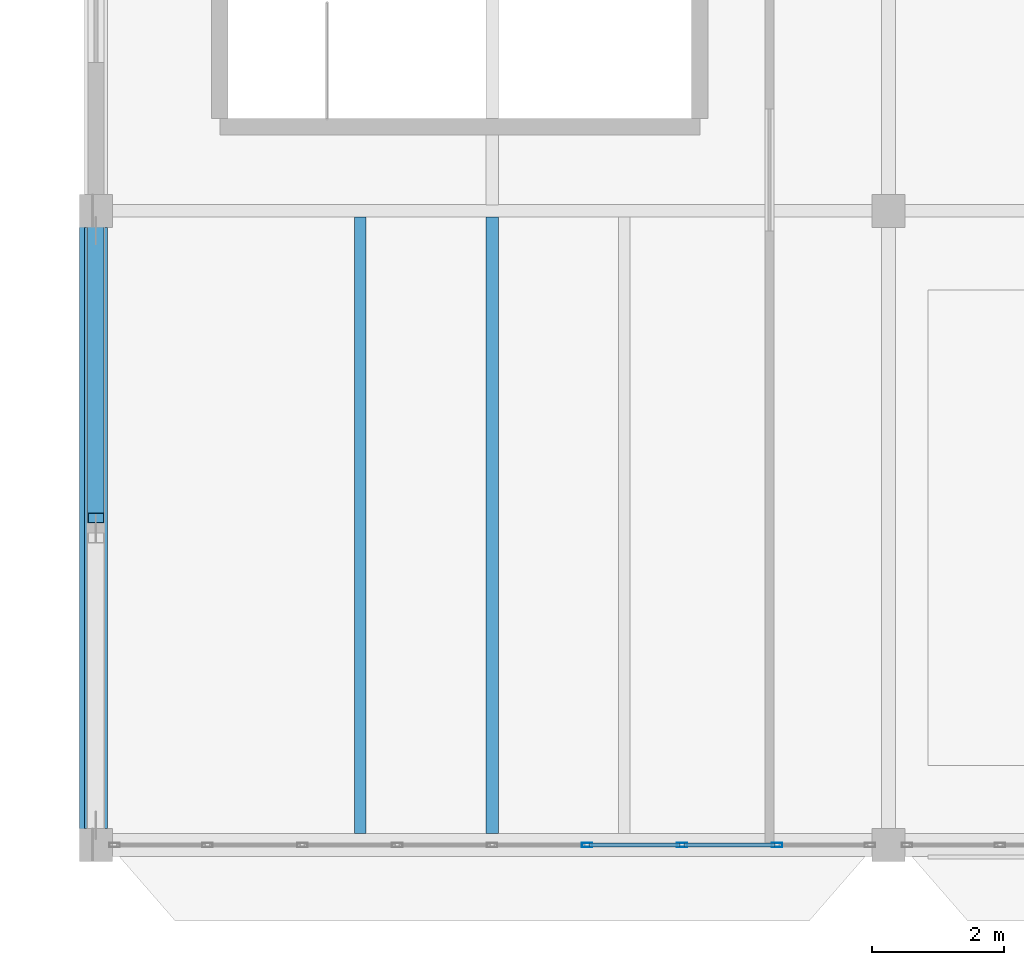
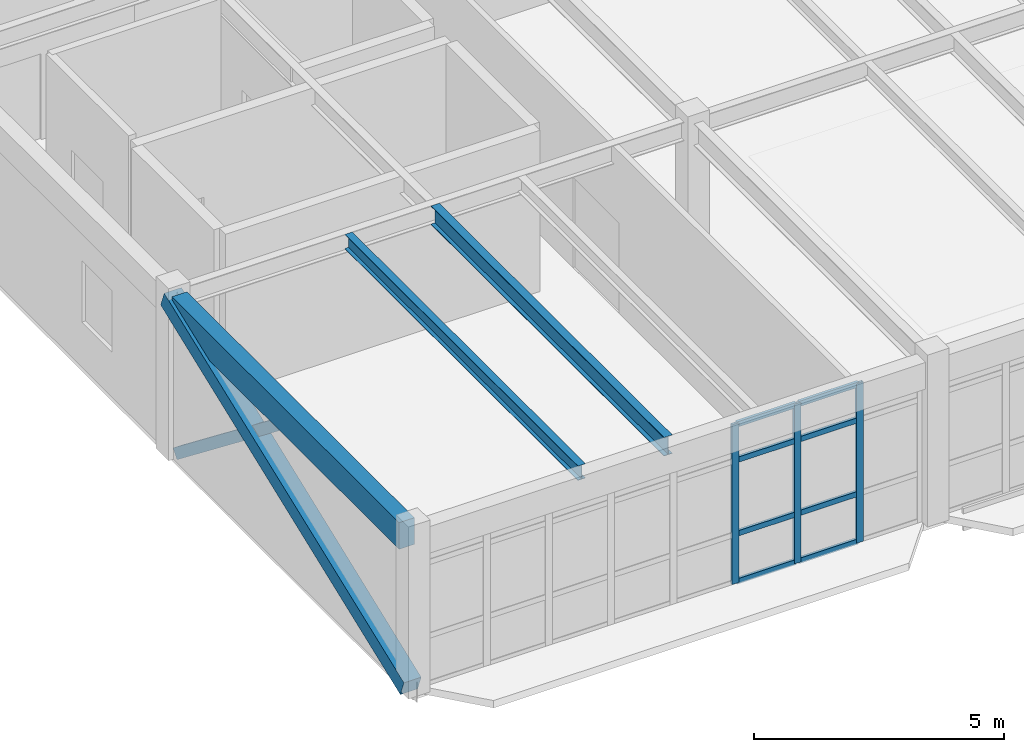
# One storey, part 8 of 83: 13 members, 3 beams, 1 element without a shape of its own.
"""IFC4 building model written with IfcOpenShell, lengths in metres."""

from ifc_helpers import new_model, si_unit, direction, frame, origin, origin_2d, place, context, subcontext, project, spatial, rectangle, hollow_rectangle, i_section, extrude, material, layer, layer_set, material_profile, profile_set, type_object, element, aggregate, save


model = new_model("IFC4")

# Units and contexts
model_context = context("Model", 3, precision=1e-05, world=origin(), true_north=direction((0.0, 1.0)))
body_context = subcontext(model_context, "Body", "Model", "MODEL_VIEW")
ifc_project = project(units=[si_unit("LENGTHUNIT", "METRE"), si_unit("AREAUNIT", "SQUARE_METRE"), si_unit("VOLUMEUNIT", "CUBIC_METRE"), si_unit("PLANEANGLEUNIT", "RADIAN"), si_unit("MASSUNIT", "GRAM", prefix="KILO")], contexts=[model_context])

# Site, building, storey
site_placement = place(None, origin())
site = spatial("IfcSite", under=ifc_project, at=site_placement, CompositionType="ELEMENT")
building_placement = place(site_placement, origin())
building = spatial("IfcBuilding", under=site, at=building_placement, Name="Pandanus Reach Market Hall", CompositionType="ELEMENT")
storey_placement = place(building_placement, frame((0.0, 0.0, 10.199951171875)))
storey = spatial("IfcBuildingStorey", under=building, at=storey_placement, Name="L02", CompositionType="ELEMENT", Elevation=10.199951171875)

# Beams
ifc_material_1 = material(Name="Concrete N40 (40 MPa)", Category="concrete")
ifc_material_profile_1 = material_profile(ifc_material_1, rectangle(XDim=0.35009765625, YDim=0.64990234375, at=origin_2d()), Name="RC350x650", Category="LoadBearing")
ifc_profile_set_1 = profile_set([ifc_material_profile_1], Name="Concrete N40 (40 MPa)")
beam_type_1 = type_object("IfcBeamType", Name="BM-RC350-E", PredefinedType="SPANDREL", material=ifc_profile_set_1)
beam_1_placement = place(storey_placement, frame((0.0, 0.248046875, 3.655029296875), z_axis=(0.0, 1.0, 0.0), x_axis=(-1.0, 0.0, 0.0)))
element("IfcBeam", 1, at=beam_1_placement, inside=storey, type_object=beam_type_1, Name="Framing beam BM-RC350-E L02.1019", PredefinedType="SPANDREL", context=body_context, shape_type="SweptSolid", body=[
    extrude(rectangle(XDim=0.35009765625, YDim=0.64990234375, at=origin_2d()), origin(), (0.0, 0.0, 1.0), 9.10400390625),
])
ifc_material_2 = material(Name="Steel Grade 350 (350 MPa)", Category="steel")
ifc_material_profile_2 = material_profile(ifc_material_2, i_section(OverallWidth=0.18994140625, OverallDepth=0.45703125, WebThickness=0.009033203125, FlangeThickness=0.014404296875, at=origin_2d()), Name="460UB74.6", Category="LoadBearing")
ifc_profile_set_2 = profile_set([ifc_material_profile_2], Name="Steel Grade 350 (350 MPa)")
beam_type_2 = type_object("IfcBeamType", Name="BM-UB460-I", PredefinedType="BEAM", material=ifc_profile_set_2)
beam_2_placement = place(storey_placement, frame((6.0, 0.173095703125, 3.75), z_axis=(0.0, 1.0, 0.0), x_axis=(-1.0, 0.0, 0.0)))
element("IfcBeam", 2, at=beam_2_placement, inside=storey, type_object=beam_type_2, Name="Food court valley beam B1.0", PredefinedType="BEAM", context=body_context, shape_type="SweptSolid", body=[
    extrude(i_section(OverallWidth=0.18994140625, OverallDepth=0.45703125, WebThickness=0.009033203125, FlangeThickness=0.014404296875, at=origin_2d()), origin(), (0.0, 0.0, 1.0), 9.333984375),
])

# Member
ifc_material_profile_3 = material_profile(ifc_material_2, hollow_rectangle(XDim=0.25, YDim=0.25, WallThickness=0.010009765625, at=origin_2d()), Name="250x250x10.0SHS", Category="LoadBearing")
ifc_profile_set_3 = profile_set([ifc_material_profile_3], Name="Steel Grade 350 (350 MPa)")
member_type_1 = type_object("IfcMemberType", Name="BR-SHS250-E", PredefinedType="BRACE", material=ifc_profile_set_3)
member_1_placement = place(storey_placement, frame((0.0, 9.31005859375, 0.150146484375), z_axis=(0.0, -0.788588381777, 0.61492142923), x_axis=(1.0, 0.0, 0.0)))
element("IfcMember", 3, at=member_1_placement, inside=storey, type_object=member_type_1, Name="Chevron brace BR-SHS250-E 11B", PredefinedType="BRACE", context=body_context, shape_type="SweptSolid", body=[
    extrude(hollow_rectangle(XDim=0.25, YDim=0.25, WallThickness=0.010009765625, at=origin_2d()), origin(), (0.0, 0.0, 1.0), 5.529052734375),
])

# Curtain wall, members
ifc_material_3 = material(Name="Bronze anodised aluminium and low-E glass", Category="aluminium")
ifc_layer = layer(ifc_material_3, 0.159912109375, Name="CW-21")
ifc_layer_set = layer_set([ifc_layer], Name="Bronze anodised aluminium and low-E glass")
curtain_wall_type = type_object("IfcCurtainWallType", Name="CW-21", PredefinedType="NOTDEFINED", material=ifc_layer_set)
curtain_wall_placement = place(storey_placement, origin())
curtain_wall = element("IfcCurtainWall", 4, at=curtain_wall_placement, inside=storey, type_object=curtain_wall_type, Name="Glazed curtain wall CW-21 CW-0063", PredefinedType="NOTDEFINED")
ifc_material_4 = material(Name="Bronze anodised aluminium", Category="aluminium")
ifc_material_profile_4 = material_profile(ifc_material_4, hollow_rectangle(XDim=0.06494140625, YDim=0.159912109375, WallThickness=0.00390625, at=origin_2d()), Name="ALU65x160", Category="LoadBearing")
ifc_profile_set_4 = profile_set([ifc_material_profile_4], Name="Bronze anodised aluminium")
member_type_2 = type_object("IfcMemberType", Name="CW-M1", PredefinedType="MULLION", material=ifc_profile_set_4)
member_2_placement = place(storey_placement, frame((7.4375, 0.0, 0.0), z_axis=(0.0, 0.0, 1.0), x_axis=(0.0, 1.0, 0.0)))
member_2 = element("IfcMember", 5, at=member_2_placement, type_object=member_type_2, Name="CW-21 mullion 6", PredefinedType="MULLION", context=body_context, shape_type="SweptSolid", body=[
    extrude(hollow_rectangle(XDim=0.06494140625, YDim=0.159912109375, WallThickness=0.00390625, at=origin_2d()), origin(), (0.0, 0.0, 1.0), 3.900146484375),
])
member_3_placement = place(storey_placement, frame((8.875, 0.0, 0.0), z_axis=(0.0, 0.0, 1.0), x_axis=(0.0, 1.0, 0.0)))
member_3 = element("IfcMember", 6, at=member_3_placement, type_object=member_type_2, Name="CW-21 mullion 7", PredefinedType="MULLION", context=body_context, shape_type="SweptSolid", body=[
    extrude(hollow_rectangle(XDim=0.06494140625, YDim=0.159912109375, WallThickness=0.00390625, at=origin_2d()), origin(), (0.0, 0.0, 1.0), 3.900146484375),
])
member_4_placement = place(storey_placement, frame((10.3125, 0.0, 0.0), z_axis=(0.0, 0.0, 1.0), x_axis=(0.0, 1.0, 0.0)))
member_4 = element("IfcMember", 7, at=member_4_placement, type_object=member_type_2, Name="CW-21 mullion 8", PredefinedType="MULLION", context=body_context, shape_type="SweptSolid", body=[
    extrude(hollow_rectangle(XDim=0.06494140625, YDim=0.159912109375, WallThickness=0.00390625, at=origin_2d()), origin(), (0.0, 0.0, 1.0), 3.900146484375),
])
ifc_material_profile_5 = material_profile(ifc_material_4, hollow_rectangle(XDim=0.06494140625, YDim=0.1298828125, WallThickness=0.00390625, at=origin_2d()), Name="ALU65x130", Category="LoadBearing")
ifc_profile_set_5 = profile_set([ifc_material_profile_5], Name="Bronze anodised aluminium")
member_type_3 = type_object("IfcMemberType", Name="CW-T1", PredefinedType="USERDEFINED", material=ifc_profile_set_5)
member_5_placement = place(storey_placement, frame((7.469970703125, 0.0, 0.032470703125), z_axis=(1.0, 0.0, 0.0), x_axis=(0.0, 1.0, 0.0)))
member_5 = element("IfcMember", 8, at=member_5_placement, type_object=member_type_3, Name="CW-21 transom 6.1", ObjectType="TRANSOM", PredefinedType="USERDEFINED", context=body_context, shape_type="SweptSolid", body=[
    extrude(hollow_rectangle(XDim=0.06494140625, YDim=0.1298828125, WallThickness=0.00390625, at=origin_2d()), origin(), (0.0, 0.0, 1.0), 1.37255859375),
])
member_6_placement = place(storey_placement, frame((7.469970703125, 0.0, 1.199951171875), z_axis=(1.0, 0.0, 0.0), x_axis=(0.0, 1.0, 0.0)))
member_6 = element("IfcMember", 9, at=member_6_placement, type_object=member_type_3, Name="CW-21 transom 6.2", ObjectType="TRANSOM", PredefinedType="USERDEFINED", context=body_context, shape_type="SweptSolid", body=[
    extrude(hollow_rectangle(XDim=0.06494140625, YDim=0.1298828125, WallThickness=0.00390625, at=origin_2d()), origin(), (0.0, 0.0, 1.0), 1.37255859375),
])
member_7_placement = place(storey_placement, frame((7.469970703125, 0.0, 3.0), z_axis=(1.0, 0.0, 0.0), x_axis=(0.0, 1.0, 0.0)))
member_7 = element("IfcMember", 10, at=member_7_placement, type_object=member_type_3, Name="CW-21 transom 6.3", ObjectType="TRANSOM", PredefinedType="USERDEFINED", context=body_context, shape_type="SweptSolid", body=[
    extrude(hollow_rectangle(XDim=0.06494140625, YDim=0.1298828125, WallThickness=0.00390625, at=origin_2d()), origin(), (0.0, 0.0, 1.0), 1.37255859375),
])
member_8_placement = place(storey_placement, frame((7.469970703125, 0.0, 3.867431640625), z_axis=(1.0, 0.0, 0.0), x_axis=(0.0, 1.0, 0.0)))
member_8 = element("IfcMember", 11, at=member_8_placement, type_object=member_type_3, Name="CW-21 transom 6.4", ObjectType="TRANSOM", PredefinedType="USERDEFINED", context=body_context, shape_type="SweptSolid", body=[
    extrude(hollow_rectangle(XDim=0.06494140625, YDim=0.1298828125, WallThickness=0.00390625, at=origin_2d()), origin(), (0.0, 0.0, 1.0), 1.37255859375),
])
member_9_placement = place(storey_placement, frame((8.907470703125, 0.0, 0.032470703125), z_axis=(1.0, 0.0, 0.0), x_axis=(0.0, 1.0, 0.0)))
member_9 = element("IfcMember", 12, at=member_9_placement, type_object=member_type_3, Name="CW-21 transom 7.1", ObjectType="TRANSOM", PredefinedType="USERDEFINED", context=body_context, shape_type="SweptSolid", body=[
    extrude(hollow_rectangle(XDim=0.06494140625, YDim=0.1298828125, WallThickness=0.00390625, at=origin_2d()), origin(), (0.0, 0.0, 1.0), 1.37255859375),
])
member_10_placement = place(storey_placement, frame((8.907470703125, 0.0, 1.199951171875), z_axis=(1.0, 0.0, 0.0), x_axis=(0.0, 1.0, 0.0)))
member_10 = element("IfcMember", 13, at=member_10_placement, type_object=member_type_3, Name="CW-21 transom 7.2", ObjectType="TRANSOM", PredefinedType="USERDEFINED", context=body_context, shape_type="SweptSolid", body=[
    extrude(hollow_rectangle(XDim=0.06494140625, YDim=0.1298828125, WallThickness=0.00390625, at=origin_2d()), origin(), (0.0, 0.0, 1.0), 1.37255859375),
])
member_11_placement = place(storey_placement, frame((8.907470703125, 0.0, 3.0), z_axis=(1.0, 0.0, 0.0), x_axis=(0.0, 1.0, 0.0)))
member_11 = element("IfcMember", 14, at=member_11_placement, type_object=member_type_3, Name="CW-21 transom 7.3", ObjectType="TRANSOM", PredefinedType="USERDEFINED", context=body_context, shape_type="SweptSolid", body=[
    extrude(hollow_rectangle(XDim=0.06494140625, YDim=0.1298828125, WallThickness=0.00390625, at=origin_2d()), origin(), (0.0, 0.0, 1.0), 1.37255859375),
])
member_12_placement = place(storey_placement, frame((8.907470703125, 0.0, 3.867431640625), z_axis=(1.0, 0.0, 0.0), x_axis=(0.0, 1.0, 0.0)))
member_12 = element("IfcMember", 15, at=member_12_placement, type_object=member_type_3, Name="CW-21 transom 7.4", ObjectType="TRANSOM", PredefinedType="USERDEFINED", context=body_context, shape_type="SweptSolid", body=[
    extrude(hollow_rectangle(XDim=0.06494140625, YDim=0.1298828125, WallThickness=0.00390625, at=origin_2d()), origin(), (0.0, 0.0, 1.0), 1.37255859375),
])
aggregate(curtain_wall, [member_2, member_3, member_4, member_5, member_6, member_7, member_8, member_9, member_10, member_11, member_12])

# Beam
ifc_material_profile_6 = material_profile(ifc_material_2, i_section(OverallWidth=0.1708984375, OverallDepth=0.35595703125, WebThickness=0.00732421875, FlangeThickness=0.011474609375, at=origin_2d()), Name="360UB50.7", Category="LoadBearing")
ifc_profile_set_6 = profile_set([ifc_material_profile_6], Name="Steel Grade 350 (350 MPa)")
beam_type_3 = type_object("IfcBeamType", Name="JS-UB360-I", PredefinedType="JOIST", material=ifc_profile_set_6)
beam_3_placement = place(storey_placement, frame((4.0, 0.173095703125, 3.8017578125), z_axis=(0.0, 1.0, 0.0), x_axis=(-1.0, 0.0, 0.0)))
element("IfcBeam", 16, at=beam_3_placement, inside=storey, type_object=beam_type_3, Name="Secondary joist JS-UB360-I L02.1028", PredefinedType="JOIST", context=body_context, shape_type="SweptSolid", body=[
    extrude(i_section(OverallWidth=0.1708984375, OverallDepth=0.35595703125, WebThickness=0.00732421875, FlangeThickness=0.011474609375, at=origin_2d()), origin(), (0.0, 0.0, 1.0), 9.333984375),
])

# Member
ifc_material_5 = material(Name="Concrete N50 (50 MPa)", Category="concrete")
ifc_material_profile_7 = material_profile(ifc_material_5, rectangle(XDim=0.39990234375, YDim=0.39990234375, at=origin_2d()), Name="RC400x400", Category="LoadBearing")
ifc_profile_set_7 = profile_set([ifc_material_profile_7], Name="Concrete N50 (50 MPa)")
member_type_4 = type_object("IfcMemberType", Name="VS-RC400-E", PredefinedType="STRUT", material=ifc_profile_set_7)
member_13_placement = place(storey_placement, frame((-0.050048828125, 0.0, 0.10009765625), z_axis=(0.0, 0.933097690408, 0.359622997257), x_axis=(-1.0, 0.0, 0.0)))
element("IfcMember", 17, at=member_13_placement, inside=storey, type_object=member_type_4, Name="Sculpted concrete diagrid rib 14", PredefinedType="STRUT", context=body_context, shape_type="SweptSolid", body=[
    extrude(rectangle(XDim=0.39990234375, YDim=0.39990234375, at=origin_2d()), origin(), (0.0, 0.0, 1.0), 10.288330078125),
])

save(model, "model.ifc")
